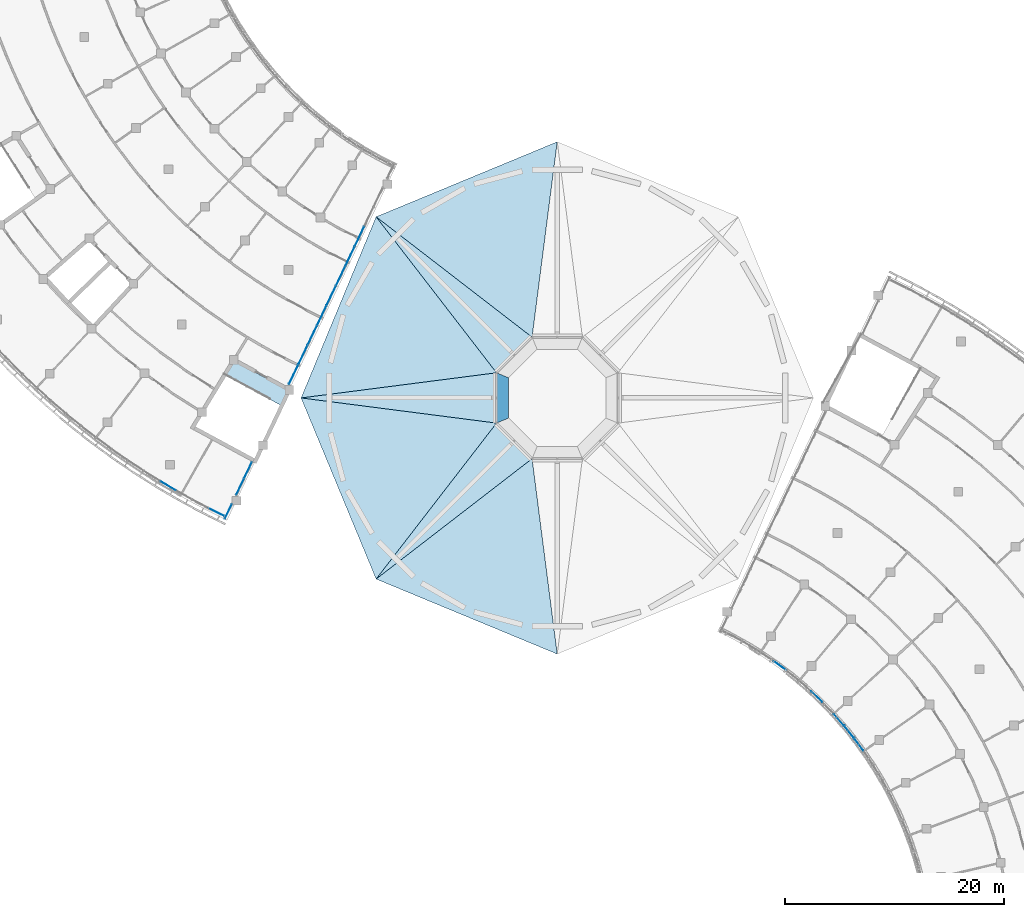
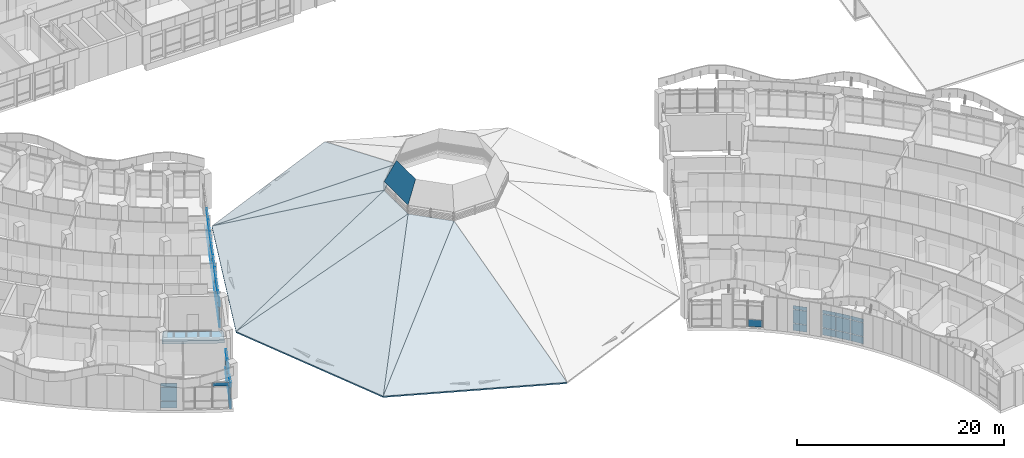
# One storey, part 48 of 137: 51 plates, 8 slabs, 7 elements without a shape of their own.
"""IFC4 building model written with IfcOpenShell, lengths in metres."""

from ifc_helpers import new_model, si_unit, direction, frame, origin, origin_2d, place, context, subcontext, project, spatial, polyline, rectangle, outline, extrude, material, layer, layer_set, type_object, element, aggregate, save


model = new_model("IFC4")

# Units and contexts
model_context = context("Model", 3, precision=1e-05, world=origin(), true_north=direction((0.0, 1.0)))
body_context = subcontext(model_context, "Body", "Model", "MODEL_VIEW")
ifc_project = project(units=[si_unit("LENGTHUNIT", "METRE"), si_unit("AREAUNIT", "SQUARE_METRE"), si_unit("VOLUMEUNIT", "CUBIC_METRE"), si_unit("PLANEANGLEUNIT", "RADIAN"), si_unit("MASSUNIT", "GRAM", prefix="KILO")], contexts=[model_context])

# Site, building, storey
site_placement = place(None, origin())
site = spatial("IfcSite", under=ifc_project, at=site_placement, CompositionType="ELEMENT")
building_placement = place(site_placement, origin())
building = spatial("IfcBuilding", under=site, at=building_placement, Name="Bougainvillea Quay General Hospital", CompositionType="ELEMENT")
storey_placement = place(building_placement, frame((0.0, 0.0, 16.800048828125)))
storey = spatial("IfcBuildingStorey", under=building, at=storey_placement, Name="L03", CompositionType="ELEMENT", Elevation=16.800048828125)

# Curtain wall, plates
ifc_material_1 = material(Name="Aluminium curtain wall system, powder-coated glazed", Category="aluminium")
curtain_wall_type_1 = type_object("IfcCurtainWallType", Name="Unitised curtain wall CW-2100", PredefinedType="NOTDEFINED", material=ifc_material_1)
curtain_wall_1_placement = place(storey_placement, origin())
curtain_wall_1 = element("IfcCurtainWall", 1, at=curtain_wall_1_placement, inside=storey, type_object=curtain_wall_type_1, Name="CW-W01 a01b0", PredefinedType="NOTDEFINED")
ifc_material_2 = material(Name="Insulated aluminium spandrel panel, white", Category="aluminium")
ifc_layer_1 = layer(ifc_material_2, 0.028076171875)
ifc_layer_set_1 = layer_set([ifc_layer_1], Name="Insulated aluminium spandrel panel, white")
plate_type_1 = type_object("IfcPlateType", Name="Insulated spandrel panel white 28", PredefinedType="CURTAIN_PANEL", material=ifc_layer_set_1)
plate_1_placement = place(storey_placement, frame((78.09912109375, 63.573486328125, 2.580078125), z_axis=(0.0, 0.0, 1.0), x_axis=(-0.895166761772, 0.445731386172, 0.0)))
plate_1 = element("IfcPlate", 2, at=plate_1_placement, type_object=plate_type_1, Name="CW-W01 spandrel panel 1.3", PredefinedType="CURTAIN_PANEL", context=body_context, shape_type="SweptSolid", body=[
    extrude(rectangle(XDim=1.593994140625, YDim=0.028076171875, at=origin_2d()), origin(), (0.0, 0.0, 1.0), 0.409912109375),
])
plate_2_placement = place(storey_placement, frame((73.6884765625, 65.97265625, 0.059814453125), z_axis=(0.0, 0.0, 1.0), x_axis=(-0.860561565158, 0.509346436695, 0.0)))
plate_2 = element("IfcPlate", 3, at=plate_2_placement, type_object=plate_type_1, Name="CW-W01 spandrel panel 4.1", PredefinedType="CURTAIN_PANEL", context=body_context, shape_type="SweptSolid", body=[
    extrude(rectangle(XDim=1.593994140625, YDim=0.028076171875, at=origin_2d()), origin(), (0.0, 0.0, 1.0), 0.81005859375),
])
plate_3_placement = place(storey_placement, frame((73.6884765625, 65.97265625, 2.580078125), z_axis=(0.0, 0.0, 1.0), x_axis=(-0.860561565158, 0.509346436695, 0.0)))
plate_3 = element("IfcPlate", 4, at=plate_3_placement, type_object=plate_type_1, Name="CW-W01 spandrel panel 4.3", PredefinedType="CURTAIN_PANEL", context=body_context, shape_type="SweptSolid", body=[
    extrude(rectangle(XDim=1.593994140625, YDim=0.028076171875, at=origin_2d()), origin(), (0.0, 0.0, 1.0), 0.409912109375),
])

curtain_wall_type_2 = type_object("IfcCurtainWallType", Name="Unitised curtain wall CW-1580", PredefinedType="NOTDEFINED", material=ifc_material_1)
curtain_wall_2_placement = place(storey_placement, origin())
curtain_wall_2 = element("IfcCurtainWall", 5, at=curtain_wall_2_placement, inside=storey, type_object=curtain_wall_type_2, Name="CW-AE 00", PredefinedType="NOTDEFINED")
plate_4_placement = place(storey_placement, frame((79.178466796875, 63.6396484375, 0.059814453125), z_axis=(0.0, 0.0, 1.0), x_axis=(0.430525444112, 0.902578440897, 0.0)))
plate_4 = element("IfcPlate", 6, at=plate_4_placement, type_object=plate_type_1, Name="CW-AE spandrel panel 1.1", PredefinedType="CURTAIN_PANEL", context=body_context, shape_type="SweptSolid", body=[
    extrude(rectangle(XDim=1.459716796875, YDim=0.028076171875, at=origin_2d()), origin(), (0.0, 0.0, 1.0), 0.81005859375),
])
plate_5_placement = place(storey_placement, frame((79.178466796875, 63.6396484375, 2.580078125), z_axis=(0.0, 0.0, 1.0), x_axis=(0.430525444112, 0.902578440897, 0.0)))
plate_5 = element("IfcPlate", 7, at=plate_5_placement, type_object=plate_type_1, Name="CW-AE spandrel panel 1.3", PredefinedType="CURTAIN_PANEL", context=body_context, shape_type="SweptSolid", body=[
    extrude(rectangle(XDim=1.459716796875, YDim=0.028076171875, at=origin_2d()), origin(), (0.0, 0.0, 1.0), 0.409912109375),
])

curtain_wall_type_3 = type_object("IfcCurtainWallType", Name="Unitised curtain wall CW-1703", PredefinedType="NOTDEFINED", material=ifc_material_1)
curtain_wall_3_placement = place(storey_placement, origin())
curtain_wall_3 = element("IfcCurtainWall", 8, at=curtain_wall_3_placement, inside=storey, type_object=curtain_wall_type_3, Name="CW-AE 01", PredefinedType="NOTDEFINED")
plate_6_placement = place(storey_placement, frame((80.253173828125, 65.892822265625, 0.059814453125), z_axis=(0.0, 0.0, 1.0), x_axis=(0.430525444112, 0.902578440897, 0.0)))
plate_6 = element("IfcPlate", 9, at=plate_6_placement, type_object=plate_type_1, Name="CW-AE spandrel panel 1.1", PredefinedType="CURTAIN_PANEL", context=body_context, shape_type="SweptSolid", body=[
    extrude(rectangle(XDim=1.61279296875, YDim=0.028076171875, at=origin_2d()), origin(), (0.0, 0.0, 1.0), 0.81005859375),
])
plate_7_placement = place(storey_placement, frame((80.253173828125, 65.892822265625, 2.580078125), z_axis=(0.0, 0.0, 1.0), x_axis=(0.430525444112, 0.902578440897, 0.0)))
plate_7 = element("IfcPlate", 10, at=plate_7_placement, type_object=plate_type_1, Name="CW-AE spandrel panel 1.3", PredefinedType="CURTAIN_PANEL", context=body_context, shape_type="SweptSolid", body=[
    extrude(rectangle(XDim=1.61279296875, YDim=0.028076171875, at=origin_2d()), origin(), (0.0, 0.0, 1.0), 0.409912109375),
])
plate_8_placement = place(storey_placement, frame((80.973388671875, 67.402587890625, 0.059814453125), z_axis=(0.0, 0.0, 1.0), x_axis=(0.430525444112, 0.902578440897, 0.0)))
plate_8 = element("IfcPlate", 11, at=plate_8_placement, type_object=plate_type_1, Name="CW-AE spandrel panel 2.1", PredefinedType="CURTAIN_PANEL", context=body_context, shape_type="SweptSolid", body=[
    extrude(rectangle(XDim=1.61279296875, YDim=0.028076171875, at=origin_2d()), origin(), (0.0, 0.0, 1.0), 0.81005859375),
])
plate_9_placement = place(storey_placement, frame((80.973388671875, 67.402587890625, 2.580078125), z_axis=(0.0, 0.0, 1.0), x_axis=(0.430525444112, 0.902578440897, 0.0)))
plate_9 = element("IfcPlate", 12, at=plate_9_placement, type_object=plate_type_1, Name="CW-AE spandrel panel 2.3", PredefinedType="CURTAIN_PANEL", context=body_context, shape_type="SweptSolid", body=[
    extrude(rectangle(XDim=1.61279296875, YDim=0.028076171875, at=origin_2d()), origin(), (0.0, 0.0, 1.0), 0.409912109375),
])

curtain_wall_type_4 = type_object("IfcCurtainWallType", Name="Unitised curtain wall CW-1997", PredefinedType="NOTDEFINED", material=ifc_material_1)
curtain_wall_4_placement = place(storey_placement, origin())
curtain_wall_4 = element("IfcCurtainWall", 13, at=curtain_wall_4_placement, inside=storey, type_object=curtain_wall_type_4, Name="CW-AE 02", PredefinedType="NOTDEFINED")
plate_10_placement = place(storey_placement, frame((85.13818359375, 76.134033203125, 0.059814453125), z_axis=(0.0, 0.0, 1.0), x_axis=(0.430525444112, 0.902578440897, 0.0)))
plate_10 = element("IfcPlate", 14, at=plate_10_placement, type_object=plate_type_1, Name="CW-AE spandrel panel 1.1", PredefinedType="CURTAIN_PANEL", context=body_context, shape_type="SweptSolid", body=[
    extrude(rectangle(XDim=1.906005859375, YDim=0.028076171875, at=origin_2d()), origin(), (0.0, 0.0, 1.0), 0.81005859375),
])
plate_11_placement = place(storey_placement, frame((85.13818359375, 76.134033203125, 2.580078125), z_axis=(0.0, 0.0, 1.0), x_axis=(0.430525444112, 0.902578440897, 0.0)))
plate_11 = element("IfcPlate", 15, at=plate_11_placement, type_object=plate_type_1, Name="CW-AE spandrel panel 1.3", PredefinedType="CURTAIN_PANEL", context=body_context, shape_type="SweptSolid", body=[
    extrude(rectangle(XDim=1.906005859375, YDim=0.028076171875, at=origin_2d()), origin(), (0.0, 0.0, 1.0), 0.409912109375),
])
plate_12_placement = place(storey_placement, frame((85.9912109375, 77.922119140625, 0.059814453125), z_axis=(0.0, 0.0, 1.0), x_axis=(0.430525444112, 0.902578440897, 0.0)))
plate_12 = element("IfcPlate", 16, at=plate_12_placement, type_object=plate_type_1, Name="CW-AE spandrel panel 2.1", PredefinedType="CURTAIN_PANEL", context=body_context, shape_type="SweptSolid", body=[
    extrude(rectangle(XDim=1.93603515625, YDim=0.028076171875, at=origin_2d()), origin(), (0.0, 0.0, 1.0), 0.81005859375),
])
plate_13_placement = place(storey_placement, frame((85.9912109375, 77.922119140625, 2.580078125), z_axis=(0.0, 0.0, 1.0), x_axis=(0.430525444112, 0.902578440897, 0.0)))
plate_13 = element("IfcPlate", 17, at=plate_13_placement, type_object=plate_type_1, Name="CW-AE spandrel panel 2.3", PredefinedType="CURTAIN_PANEL", context=body_context, shape_type="SweptSolid", body=[
    extrude(rectangle(XDim=1.93603515625, YDim=0.028076171875, at=origin_2d()), origin(), (0.0, 0.0, 1.0), 0.409912109375),
])
plate_14_placement = place(storey_placement, frame((86.8505859375, 79.7236328125, 0.059814453125), z_axis=(0.0, 0.0, 1.0), x_axis=(0.430525444112, 0.902578440897, 0.0)))
plate_14 = element("IfcPlate", 18, at=plate_14_placement, type_object=plate_type_1, Name="CW-AE spandrel panel 3.1", PredefinedType="CURTAIN_PANEL", context=body_context, shape_type="SweptSolid", body=[
    extrude(rectangle(XDim=1.93603515625, YDim=0.028076171875, at=origin_2d()), origin(), (0.0, 0.0, 1.0), 0.81005859375),
])
plate_15_placement = place(storey_placement, frame((86.8505859375, 79.7236328125, 2.580078125), z_axis=(0.0, 0.0, 1.0), x_axis=(0.430525444112, 0.902578440897, 0.0)))
plate_15 = element("IfcPlate", 19, at=plate_15_placement, type_object=plate_type_1, Name="CW-AE spandrel panel 3.3", PredefinedType="CURTAIN_PANEL", context=body_context, shape_type="SweptSolid", body=[
    extrude(rectangle(XDim=1.93603515625, YDim=0.028076171875, at=origin_2d()), origin(), (0.0, 0.0, 1.0), 0.409912109375),
])
plate_16_placement = place(storey_placement, frame((87.709716796875, 81.525390625, 0.059814453125), z_axis=(0.0, 0.0, 1.0), x_axis=(0.430525444112, 0.902578440897, 0.0)))
plate_16 = element("IfcPlate", 20, at=plate_16_placement, type_object=plate_type_1, Name="CW-AE spandrel panel 4.1", PredefinedType="CURTAIN_PANEL", context=body_context, shape_type="SweptSolid", body=[
    extrude(rectangle(XDim=1.93603515625, YDim=0.028076171875, at=origin_2d()), origin(), (0.0, 0.0, 1.0), 0.81005859375),
])
plate_17_placement = place(storey_placement, frame((87.709716796875, 81.525390625, 2.580078125), z_axis=(0.0, 0.0, 1.0), x_axis=(0.430525444112, 0.902578440897, 0.0)))
plate_17 = element("IfcPlate", 21, at=plate_17_placement, type_object=plate_type_1, Name="CW-AE spandrel panel 4.3", PredefinedType="CURTAIN_PANEL", context=body_context, shape_type="SweptSolid", body=[
    extrude(rectangle(XDim=1.93603515625, YDim=0.028076171875, at=origin_2d()), origin(), (0.0, 0.0, 1.0), 0.409912109375),
])
plate_18_placement = place(storey_placement, frame((88.569091796875, 83.326904296875, 0.059814453125), z_axis=(0.0, 0.0, 1.0), x_axis=(0.430525444112, 0.902578440897, 0.0)))
plate_18 = element("IfcPlate", 22, at=plate_18_placement, type_object=plate_type_1, Name="CW-AE spandrel panel 5.1", PredefinedType="CURTAIN_PANEL", context=body_context, shape_type="SweptSolid", body=[
    extrude(rectangle(XDim=1.93603515625, YDim=0.028076171875, at=origin_2d()), origin(), (0.0, 0.0, 1.0), 0.81005859375),
])
plate_19_placement = place(storey_placement, frame((88.569091796875, 83.326904296875, 2.580078125), z_axis=(0.0, 0.0, 1.0), x_axis=(0.430525444112, 0.902578440897, 0.0)))
plate_19 = element("IfcPlate", 23, at=plate_19_placement, type_object=plate_type_1, Name="CW-AE spandrel panel 5.3", PredefinedType="CURTAIN_PANEL", context=body_context, shape_type="SweptSolid", body=[
    extrude(rectangle(XDim=1.93603515625, YDim=0.028076171875, at=origin_2d()), origin(), (0.0, 0.0, 1.0), 0.409912109375),
])
plate_20_placement = place(storey_placement, frame((89.428466796875, 85.12841796875, 0.059814453125), z_axis=(0.0, 0.0, 1.0), x_axis=(0.430525444112, 0.902578440897, 0.0)))
plate_20 = element("IfcPlate", 24, at=plate_20_placement, type_object=plate_type_1, Name="CW-AE spandrel panel 6.1", PredefinedType="CURTAIN_PANEL", context=body_context, shape_type="SweptSolid", body=[
    extrude(rectangle(XDim=1.93603515625, YDim=0.028076171875, at=origin_2d()), origin(), (0.0, 0.0, 1.0), 0.81005859375),
])
plate_21_placement = place(storey_placement, frame((89.428466796875, 85.12841796875, 2.580078125), z_axis=(0.0, 0.0, 1.0), x_axis=(0.430525444112, 0.902578440897, 0.0)))
plate_21 = element("IfcPlate", 25, at=plate_21_placement, type_object=plate_type_1, Name="CW-AE spandrel panel 6.3", PredefinedType="CURTAIN_PANEL", context=body_context, shape_type="SweptSolid", body=[
    extrude(rectangle(XDim=1.93603515625, YDim=0.028076171875, at=origin_2d()), origin(), (0.0, 0.0, 1.0), 0.409912109375),
])
plate_22_placement = place(storey_placement, frame((90.287841796875, 86.929931640625, 0.059814453125), z_axis=(0.0, 0.0, 1.0), x_axis=(0.430525444112, 0.902578440897, 0.0)))
plate_22 = element("IfcPlate", 26, at=plate_22_placement, type_object=plate_type_1, Name="CW-AE spandrel panel 7.1", PredefinedType="CURTAIN_PANEL", context=body_context, shape_type="SweptSolid", body=[
    extrude(rectangle(XDim=1.93603515625, YDim=0.028076171875, at=origin_2d()), origin(), (0.0, 0.0, 1.0), 0.81005859375),
])
plate_23_placement = place(storey_placement, frame((90.287841796875, 86.929931640625, 2.580078125), z_axis=(0.0, 0.0, 1.0), x_axis=(0.430525444112, 0.902578440897, 0.0)))
plate_23 = element("IfcPlate", 27, at=plate_23_placement, type_object=plate_type_1, Name="CW-AE spandrel panel 7.3", PredefinedType="CURTAIN_PANEL", context=body_context, shape_type="SweptSolid", body=[
    extrude(rectangle(XDim=1.93603515625, YDim=0.028076171875, at=origin_2d()), origin(), (0.0, 0.0, 1.0), 0.409912109375),
])
plate_24_placement = place(storey_placement, frame((91.147216796875, 88.731689453125, 0.059814453125), z_axis=(0.0, 0.0, 1.0), x_axis=(0.430525444112, 0.902578440897, 0.0)))
plate_24 = element("IfcPlate", 28, at=plate_24_placement, type_object=plate_type_1, Name="CW-AE spandrel panel 8.1", PredefinedType="CURTAIN_PANEL", context=body_context, shape_type="SweptSolid", body=[
    extrude(rectangle(XDim=1.93603515625, YDim=0.028076171875, at=origin_2d()), origin(), (0.0, 0.0, 1.0), 0.81005859375),
])
plate_25_placement = place(storey_placement, frame((91.147216796875, 88.731689453125, 2.580078125), z_axis=(0.0, 0.0, 1.0), x_axis=(0.430525444112, 0.902578440897, 0.0)))
plate_25 = element("IfcPlate", 29, at=plate_25_placement, type_object=plate_type_1, Name="CW-AE spandrel panel 8.3", PredefinedType="CURTAIN_PANEL", context=body_context, shape_type="SweptSolid", body=[
    extrude(rectangle(XDim=1.93603515625, YDim=0.028076171875, at=origin_2d()), origin(), (0.0, 0.0, 1.0), 0.409912109375),
])

# Curtain wall, plate
curtain_wall_5_placement = place(storey_placement, origin())
curtain_wall_5 = element("IfcCurtainWall", 30, at=curtain_wall_5_placement, inside=storey, type_object=curtain_wall_type_1, Name="CW-E02 a12b1", PredefinedType="NOTDEFINED")
plate_26_placement = place(storey_placement, frame((129.552734375, 49.537109375, 0.059814453125), z_axis=(0.0, 0.0, 1.0), x_axis=(0.804188946942, -0.594373735638, 0.0)))
plate_26 = element("IfcPlate", 31, at=plate_26_placement, type_object=plate_type_1, Name="CW-E02 spandrel panel 2.1", PredefinedType="CURTAIN_PANEL", context=body_context, shape_type="SweptSolid", body=[
    extrude(rectangle(XDim=1.39697265625, YDim=0.028076171875, at=origin_2d()), origin(), (0.0, 0.0, 1.0), 0.81005859375),
])
aggregate(curtain_wall_5, [plate_26])

# Curtain wall, plates
curtain_wall_6_placement = place(storey_placement, origin())
curtain_wall_6 = element("IfcCurtainWall", 32, at=curtain_wall_6_placement, inside=storey, type_object=curtain_wall_type_1, Name="CW-E03 a12b2", PredefinedType="NOTDEFINED")
plate_27_placement = place(storey_placement, frame((132.891845703125, 46.722900390625, 0.059814453125), z_axis=(0.0, 0.0, 1.0), x_axis=(0.722001787667, -0.69189118986, 0.0)))
plate_27 = element("IfcPlate", 33, at=plate_27_placement, type_object=plate_type_1, Name="CW-E03 spandrel panel 2.1", PredefinedType="CURTAIN_PANEL", context=body_context, shape_type="SweptSolid", body=[
    extrude(rectangle(XDim=1.39697265625, YDim=0.028076171875, at=origin_2d()), origin(), (0.0, 0.0, 1.0), 0.81005859375),
])
plate_28_placement = place(storey_placement, frame((132.891845703125, 46.722900390625, 2.580078125), z_axis=(0.0, 0.0, 1.0), x_axis=(0.722001787667, -0.69189118986, 0.0)))
plate_28 = element("IfcPlate", 34, at=plate_28_placement, type_object=plate_type_1, Name="CW-E03 spandrel panel 2.3", PredefinedType="CURTAIN_PANEL", context=body_context, shape_type="SweptSolid", body=[
    extrude(rectangle(XDim=1.39697265625, YDim=0.028076171875, at=origin_2d()), origin(), (0.0, 0.0, 1.0), 0.409912109375),
])

curtain_wall_7_placement = place(storey_placement, origin())
curtain_wall_7 = element("IfcCurtainWall", 35, at=curtain_wall_7_placement, inside=storey, type_object=curtain_wall_type_1, Name="CW-E04 a12b3", PredefinedType="NOTDEFINED")
plate_29_placement = place(storey_placement, frame((134.9169921875, 44.60888671875, 0.059814453125), z_axis=(0.0, 0.0, 1.0), x_axis=(0.660595873455, -0.750741694576, 0.0)))
plate_29 = element("IfcPlate", 36, at=plate_29_placement, type_object=plate_type_1, Name="CW-E04 spandrel panel 1.1", PredefinedType="CURTAIN_PANEL", context=body_context, shape_type="SweptSolid", body=[
    extrude(rectangle(XDim=1.366943359375, YDim=0.028076171875, at=origin_2d()), origin(), (0.0, 0.0, 1.0), 0.81005859375),
])
plate_30_placement = place(storey_placement, frame((134.9169921875, 44.60888671875, 2.580078125), z_axis=(0.0, 0.0, 1.0), x_axis=(0.660595873455, -0.750741694576, 0.0)))
plate_30 = element("IfcPlate", 37, at=plate_30_placement, type_object=plate_type_1, Name="CW-E04 spandrel panel 1.3", PredefinedType="CURTAIN_PANEL", context=body_context, shape_type="SweptSolid", body=[
    extrude(rectangle(XDim=1.366943359375, YDim=0.028076171875, at=origin_2d()), origin(), (0.0, 0.0, 1.0), 0.409912109375),
])
plate_31_placement = place(storey_placement, frame((135.845703125, 43.506591796875, 0.059814453125), z_axis=(0.0, 0.0, 1.0), x_axis=(0.62807171477, -0.778155460757, 0.0)))
plate_31 = element("IfcPlate", 38, at=plate_31_placement, type_object=plate_type_1, Name="CW-E04 spandrel panel 2.1", PredefinedType="CURTAIN_PANEL", context=body_context, shape_type="SweptSolid", body=[
    extrude(rectangle(XDim=1.39697265625, YDim=0.028076171875, at=origin_2d()), origin(), (0.0, 0.0, 1.0), 0.81005859375),
])
plate_32_placement = place(storey_placement, frame((135.845703125, 43.506591796875, 2.580078125), z_axis=(0.0, 0.0, 1.0), x_axis=(0.62807171477, -0.778155460757, 0.0)))
plate_32 = element("IfcPlate", 39, at=plate_32_placement, type_object=plate_type_1, Name="CW-E04 spandrel panel 2.3", PredefinedType="CURTAIN_PANEL", context=body_context, shape_type="SweptSolid", body=[
    extrude(rectangle(XDim=1.39697265625, YDim=0.028076171875, at=origin_2d()), origin(), (0.0, 0.0, 1.0), 0.409912109375),
])
plate_33_placement = place(storey_placement, frame((136.727294921875, 42.365966796875, 0.059814453125), z_axis=(0.0, 0.0, 1.0), x_axis=(0.594411163652, -0.804161282658, 0.0)))
plate_33 = element("IfcPlate", 40, at=plate_33_placement, type_object=plate_type_1, Name="CW-E04 spandrel panel 3.1", PredefinedType="CURTAIN_PANEL", context=body_context, shape_type="SweptSolid", body=[
    extrude(rectangle(XDim=1.366943359375, YDim=0.028076171875, at=origin_2d()), origin(), (0.0, 0.0, 1.0), 0.81005859375),
])
plate_34_placement = place(storey_placement, frame((136.727294921875, 42.365966796875, 2.580078125), z_axis=(0.0, 0.0, 1.0), x_axis=(0.594411163652, -0.804161282658, 0.0)))
plate_34 = element("IfcPlate", 41, at=plate_34_placement, type_object=plate_type_1, Name="CW-E04 spandrel panel 3.3", PredefinedType="CURTAIN_PANEL", context=body_context, shape_type="SweptSolid", body=[
    extrude(rectangle(XDim=1.366943359375, YDim=0.028076171875, at=origin_2d()), origin(), (0.0, 0.0, 1.0), 0.409912109375),
])

# Plate
ifc_material_3 = material(Name="Low-e laminated glass, solar control", Category="glass")
ifc_layer_2 = layer(ifc_material_3, 0.030029296875)
ifc_layer_set_2 = layer_set([ifc_layer_2], Name="Low-e laminated glass, solar control")
plate_type_2 = type_object("IfcPlateType", Name="Lantern glass facet 30", PredefinedType="SHEET", material=ifc_layer_set_2)
plate_35_placement = place(storey_placement, frame((103.656982421875, 76.2958984375, 10.0), z_axis=(-0.907816073866, 0.0, 0.419368544397), x_axis=(0.0, -1.0, 0.0)))
element("IfcPlate", 42, at=plate_35_placement, inside=storey, type_object=plate_type_2, Name="Lantern glazing 4", PredefinedType="SHEET", context=body_context, shape_type="SweptSolid", body=[
    extrude(outline(polyline([(0.0, 0.0), (4.591796875, 0.0), (4.1328125, 2.643599747610895), (0.458984375, 2.643599747610895), (0.0, 0.0)])), origin(), (0.0, -0.907816073866, -0.419368544397), 0.030029296875),
])

ifc_layer_3 = layer(ifc_material_3, 0.028076171875)
ifc_layer_set_3 = layer_set([ifc_layer_3], Name="Low-e laminated glass, solar control")
plate_type_3 = type_object("IfcPlateType", Name="Low-e laminated vision glass 28", PredefinedType="CURTAIN_PANEL", material=ifc_layer_set_3)
plate_36_placement = place(storey_placement, frame((73.6884765625, 65.97265625, 0.9296875), z_axis=(0.0, 0.0, 1.0), x_axis=(-0.860561565158, 0.509346436695, 0.0)))
plate_36 = element("IfcPlate", 43, at=plate_36_placement, type_object=plate_type_3, Name="CW-W01 vision glass panel 4.2", PredefinedType="CURTAIN_PANEL", context=body_context, shape_type="SweptSolid", body=[
    extrude(rectangle(XDim=1.593994140625, YDim=0.028076171875, at=origin_2d()), origin(), (0.0, 0.0, 1.0), 1.590087890625),
])

aggregate(curtain_wall_1, [plate_1, plate_2, plate_36, plate_3])

plate_37_placement = place(storey_placement, frame((79.178466796875, 63.6396484375, 0.9296875), z_axis=(0.0, 0.0, 1.0), x_axis=(0.430525444112, 0.902578440897, 0.0)))
plate_37 = element("IfcPlate", 44, at=plate_37_placement, type_object=plate_type_3, Name="CW-AE vision glass panel 1.2", PredefinedType="CURTAIN_PANEL", context=body_context, shape_type="SweptSolid", body=[
    extrude(rectangle(XDim=1.459716796875, YDim=0.028076171875, at=origin_2d()), origin(), (0.0, 0.0, 1.0), 1.590087890625),
])

aggregate(curtain_wall_2, [plate_4, plate_37, plate_5])

plate_38_placement = place(storey_placement, frame((80.253173828125, 65.892822265625, 0.9296875), z_axis=(0.0, 0.0, 1.0), x_axis=(0.430525444112, 0.902578440897, 0.0)))
plate_38 = element("IfcPlate", 45, at=plate_38_placement, type_object=plate_type_3, Name="CW-AE vision glass panel 1.2", PredefinedType="CURTAIN_PANEL", context=body_context, shape_type="SweptSolid", body=[
    extrude(rectangle(XDim=1.61279296875, YDim=0.028076171875, at=origin_2d()), origin(), (0.0, 0.0, 1.0), 1.590087890625),
])

plate_39_placement = place(storey_placement, frame((80.973388671875, 67.402587890625, 0.9296875), z_axis=(0.0, 0.0, 1.0), x_axis=(0.430525444112, 0.902578440897, 0.0)))
plate_39 = element("IfcPlate", 46, at=plate_39_placement, type_object=plate_type_3, Name="CW-AE vision glass panel 2.2", PredefinedType="CURTAIN_PANEL", context=body_context, shape_type="SweptSolid", body=[
    extrude(rectangle(XDim=1.61279296875, YDim=0.028076171875, at=origin_2d()), origin(), (0.0, 0.0, 1.0), 1.590087890625),
])

aggregate(curtain_wall_3, [plate_6, plate_38, plate_7, plate_8, plate_39, plate_9])

plate_40_placement = place(storey_placement, frame((85.13818359375, 76.134033203125, 0.9296875), z_axis=(0.0, 0.0, 1.0), x_axis=(0.430525444112, 0.902578440897, 0.0)))
plate_40 = element("IfcPlate", 47, at=plate_40_placement, type_object=plate_type_3, Name="CW-AE vision glass panel 1.2", PredefinedType="CURTAIN_PANEL", context=body_context, shape_type="SweptSolid", body=[
    extrude(rectangle(XDim=1.906005859375, YDim=0.028076171875, at=origin_2d()), origin(), (0.0, 0.0, 1.0), 1.590087890625),
])

plate_41_placement = place(storey_placement, frame((85.9912109375, 77.922119140625, 0.9296875), z_axis=(0.0, 0.0, 1.0), x_axis=(0.430525444112, 0.902578440897, 0.0)))
plate_41 = element("IfcPlate", 48, at=plate_41_placement, type_object=plate_type_3, Name="CW-AE vision glass panel 2.2", PredefinedType="CURTAIN_PANEL", context=body_context, shape_type="SweptSolid", body=[
    extrude(rectangle(XDim=1.93603515625, YDim=0.028076171875, at=origin_2d()), origin(), (0.0, 0.0, 1.0), 1.590087890625),
])

plate_42_placement = place(storey_placement, frame((86.8505859375, 79.7236328125, 0.9296875), z_axis=(0.0, 0.0, 1.0), x_axis=(0.430525444112, 0.902578440897, 0.0)))
plate_42 = element("IfcPlate", 49, at=plate_42_placement, type_object=plate_type_3, Name="CW-AE vision glass panel 3.2", PredefinedType="CURTAIN_PANEL", context=body_context, shape_type="SweptSolid", body=[
    extrude(rectangle(XDim=1.93603515625, YDim=0.028076171875, at=origin_2d()), origin(), (0.0, 0.0, 1.0), 1.590087890625),
])

plate_43_placement = place(storey_placement, frame((87.709716796875, 81.525390625, 0.9296875), z_axis=(0.0, 0.0, 1.0), x_axis=(0.430525444112, 0.902578440897, 0.0)))
plate_43 = element("IfcPlate", 50, at=plate_43_placement, type_object=plate_type_3, Name="CW-AE vision glass panel 4.2", PredefinedType="CURTAIN_PANEL", context=body_context, shape_type="SweptSolid", body=[
    extrude(rectangle(XDim=1.93603515625, YDim=0.028076171875, at=origin_2d()), origin(), (0.0, 0.0, 1.0), 1.590087890625),
])

plate_44_placement = place(storey_placement, frame((88.569091796875, 83.326904296875, 0.9296875), z_axis=(0.0, 0.0, 1.0), x_axis=(0.430525444112, 0.902578440897, 0.0)))
plate_44 = element("IfcPlate", 51, at=plate_44_placement, type_object=plate_type_3, Name="CW-AE vision glass panel 5.2", PredefinedType="CURTAIN_PANEL", context=body_context, shape_type="SweptSolid", body=[
    extrude(rectangle(XDim=1.93603515625, YDim=0.028076171875, at=origin_2d()), origin(), (0.0, 0.0, 1.0), 1.590087890625),
])

plate_45_placement = place(storey_placement, frame((89.428466796875, 85.12841796875, 0.9296875), z_axis=(0.0, 0.0, 1.0), x_axis=(0.430525444112, 0.902578440897, 0.0)))
plate_45 = element("IfcPlate", 52, at=plate_45_placement, type_object=plate_type_3, Name="CW-AE vision glass panel 6.2", PredefinedType="CURTAIN_PANEL", context=body_context, shape_type="SweptSolid", body=[
    extrude(rectangle(XDim=1.93603515625, YDim=0.028076171875, at=origin_2d()), origin(), (0.0, 0.0, 1.0), 1.590087890625),
])

plate_46_placement = place(storey_placement, frame((90.287841796875, 86.929931640625, 0.9296875), z_axis=(0.0, 0.0, 1.0), x_axis=(0.430525444112, 0.902578440897, 0.0)))
plate_46 = element("IfcPlate", 53, at=plate_46_placement, type_object=plate_type_3, Name="CW-AE vision glass panel 7.2", PredefinedType="CURTAIN_PANEL", context=body_context, shape_type="SweptSolid", body=[
    extrude(rectangle(XDim=1.93603515625, YDim=0.028076171875, at=origin_2d()), origin(), (0.0, 0.0, 1.0), 1.590087890625),
])

plate_47_placement = place(storey_placement, frame((91.147216796875, 88.731689453125, 0.9296875), z_axis=(0.0, 0.0, 1.0), x_axis=(0.430525444112, 0.902578440897, 0.0)))
plate_47 = element("IfcPlate", 54, at=plate_47_placement, type_object=plate_type_3, Name="CW-AE vision glass panel 8.2", PredefinedType="CURTAIN_PANEL", context=body_context, shape_type="SweptSolid", body=[
    extrude(rectangle(XDim=1.93603515625, YDim=0.028076171875, at=origin_2d()), origin(), (0.0, 0.0, 1.0), 1.590087890625),
])

aggregate(curtain_wall_4, [plate_10, plate_40, plate_11, plate_12, plate_41, plate_13, plate_14, plate_42, plate_15, plate_16, plate_43, plate_17, plate_18, plate_44, plate_19, plate_20, plate_45, plate_21, plate_22, plate_46, plate_23, plate_24, plate_47, plate_25])

plate_48_placement = place(storey_placement, frame((132.891845703125, 46.722900390625, 0.9296875), z_axis=(0.0, 0.0, 1.0), x_axis=(0.722001787667, -0.69189118986, 0.0)))
plate_48 = element("IfcPlate", 55, at=plate_48_placement, type_object=plate_type_3, Name="CW-E03 vision glass panel 2.2", PredefinedType="CURTAIN_PANEL", context=body_context, shape_type="SweptSolid", body=[
    extrude(rectangle(XDim=1.39697265625, YDim=0.028076171875, at=origin_2d()), origin(), (0.0, 0.0, 1.0), 1.590087890625),
])

aggregate(curtain_wall_6, [plate_27, plate_48, plate_28])

plate_49_placement = place(storey_placement, frame((134.9169921875, 44.60888671875, 0.9296875), z_axis=(0.0, 0.0, 1.0), x_axis=(0.660595873455, -0.750741694576, 0.0)))
plate_49 = element("IfcPlate", 56, at=plate_49_placement, type_object=plate_type_3, Name="CW-E04 vision glass panel 1.2", PredefinedType="CURTAIN_PANEL", context=body_context, shape_type="SweptSolid", body=[
    extrude(rectangle(XDim=1.366943359375, YDim=0.028076171875, at=origin_2d()), origin(), (0.0, 0.0, 1.0), 1.590087890625),
])

plate_50_placement = place(storey_placement, frame((135.845703125, 43.506591796875, 0.9296875), z_axis=(0.0, 0.0, 1.0), x_axis=(0.62807171477, -0.778155460757, 0.0)))
plate_50 = element("IfcPlate", 57, at=plate_50_placement, type_object=plate_type_3, Name="CW-E04 vision glass panel 2.2", PredefinedType="CURTAIN_PANEL", context=body_context, shape_type="SweptSolid", body=[
    extrude(rectangle(XDim=1.39697265625, YDim=0.028076171875, at=origin_2d()), origin(), (0.0, 0.0, 1.0), 1.590087890625),
])

plate_51_placement = place(storey_placement, frame((136.727294921875, 42.365966796875, 0.9296875), z_axis=(0.0, 0.0, 1.0), x_axis=(0.594411163652, -0.804161282658, 0.0)))
plate_51 = element("IfcPlate", 58, at=plate_51_placement, type_object=plate_type_3, Name="CW-E04 vision glass panel 3.2", PredefinedType="CURTAIN_PANEL", context=body_context, shape_type="SweptSolid", body=[
    extrude(rectangle(XDim=1.366943359375, YDim=0.028076171875, at=origin_2d()), origin(), (0.0, 0.0, 1.0), 1.590087890625),
])

aggregate(curtain_wall_7, [plate_29, plate_49, plate_30, plate_31, plate_50, plate_32, plate_33, plate_51, plate_34])

# Slabs
ifc_material_4 = material(Name="Concrete C35", Category="concrete")
ifc_layer_4 = layer(ifc_material_4, 0.35009765625)
ifc_layer_set_4 = layer_set([ifc_layer_4], Name="Concrete C35")
slab_type_1 = type_object("IfcSlabType", Name="RC FLAT SLAB 350 C35", PredefinedType="FLOOR", material=ifc_layer_set_4)
slab_1_placement = place(storey_placement, frame((0.0, 0.0, -0.35009765625)))
element("IfcSlab", 59, at=slab_1_placement, inside=storey, type_object=slab_type_1, Name="Stair landing floor ST-W1 L03", PredefinedType="FLOOR", context=body_context, shape_type="SweptSolid", body=[
    extrude(outline(polyline([(82.178955078125, 76.0390625), (83.455078125, 75.3701171875), (84.7470703125, 74.73291015625), (84.63623046875, 74.500732421875), (84.680419921875, 74.47705078125), (84.0986328125, 73.2578125), (78.80126953125, 76.123046875), (79.503173828125, 77.277099609375), (79.54736328125, 77.253173828125), (79.680908203125, 77.472900390625), (80.9208984375, 76.739990234375), (82.178955078125, 76.0390625)])), origin(), (0.0, 0.0, 1.0), 0.35009765625),
])
ifc_material_5 = material(Name="Concrete C40", Category="concrete")
ifc_layer_5 = layer(ifc_material_5, 0.14990234375)
ifc_layer_set_5 = layer_set([ifc_layer_5], Name="Concrete C40")
slab_type_2 = type_object("IfcSlabType", Name="RC FOLDED ROOF PLATE 150 C40", PredefinedType="ROOF", material=ifc_layer_set_5)
slab_2_placement = place(storey_placement, frame((106.904052734375, 79.54296875, 8.9599609375), z_axis=(-0.191234000574, 0.461671016752, 0.866192489759), x_axis=(0.114164949243, 0.886951424039, -0.447530485844)))
element("IfcSlab", 60, at=slab_2_placement, inside=storey, type_object=slab_type_2, Name="Roof plate RP2-05", PredefinedType="ROOF", context=body_context, shape_type="SweptSolid", body=[
    extrude(outline(polyline([(0.0, 0.0), (20.110361829373563, 0.0), (12.149233892160026, 16.0256239979735), (0.0, 0.0)])), origin(), (0.447530485844, 0.222321917328, -0.866192489759), 0.14990234375),
])
slab_3_placement = place(storey_placement, frame((92.66796875, 90.531982421875, -0.0400390625), z_axis=(-0.318535569119, 0.318535569119, 0.892787870892), x_axis=(0.707899830159, -0.546436851628, 0.447531672223)))
element("IfcSlab", 61, at=slab_3_placement, inside=storey, type_object=slab_type_2, Name="Roof plate RP2-06", PredefinedType="ROOF", context=body_context, shape_type="SweptSolid", body=[
    extrude(outline(polyline([(0.0, 0.0), (20.110308518042036, 1.6653345369377348e-15), (19.58602687388627, -4.562023672257633), (0.0, 0.0)])), origin(), (-0.447531672223, 0.051431701758, -0.892787870892), 0.14990234375),
])
slab_4_placement = place(storey_placement, frame((103.656982421875, 76.2958984375, 8.9599609375), z_axis=(-0.461671016752, 0.191234000574, 0.866192489759), x_axis=(-0.546436851628, 0.707899830159, -0.447531672223)))
element("IfcSlab", 62, at=slab_4_placement, inside=storey, type_object=slab_type_2, Name="Roof plate RP2-07", PredefinedType="ROOF", context=body_context, shape_type="SweptSolid", body=[
    extrude(outline(polyline([(0.0, 0.0), (20.110308518042036, -8.881784197001252e-16), (12.149266099116737, 16.025666481029052), (0.0, 0.0)])), origin(), (0.447531672223, 0.22231952915, -0.866192489759), 0.14990234375),
])
slab_5_placement = place(storey_placement, frame((85.820068359375, 74.0, -0.0400390625), z_axis=(-0.450475782911, 0.0, 0.892788647447), x_axis=(0.886951424039, 0.114164949243, 0.447530485844)))
element("IfcSlab", 63, at=slab_5_placement, inside=storey, type_object=slab_type_2, Name="Roof plate RP2-08", PredefinedType="ROOF", context=body_context, shape_type="SweptSolid", body=[
    extrude(outline(polyline([(0.0, 0.0), (20.110361829373563, 2.220446049250313e-16), (19.58613957220703, -4.561774826353334), (0.0, 0.0)])), origin(), (-0.447530485844, 0.051428544891, -0.892788647447), 0.14990234375),
])
slab_6_placement = place(storey_placement, frame((103.656982421875, 71.7041015625, 8.9599609375), z_axis=(-0.461671016752, -0.191234000574, 0.866192489759), x_axis=(-0.886951424039, 0.114164949243, -0.447530485844)))
element("IfcSlab", 64, at=slab_6_placement, inside=storey, type_object=slab_type_2, Name="Roof plate RP2-09", PredefinedType="ROOF", context=body_context, shape_type="SweptSolid", body=[
    extrude(outline(polyline([(0.0, 0.0), (20.110361829373563, 0.0), (12.149233892160026, 16.0256239979735), (0.0, 0.0)])), origin(), (0.447530485844, 0.222321917328, -0.866192489759), 0.14990234375),
])
slab_7_placement = place(storey_placement, frame((92.66796875, 57.468017578125, -0.0400390625), z_axis=(-0.318535569119, -0.318535569119, 0.892787870892), x_axis=(0.546436851628, 0.707899830159, 0.447531672223)))
element("IfcSlab", 65, at=slab_7_placement, inside=storey, type_object=slab_type_2, Name="Roof plate RP2-10", PredefinedType="ROOF", context=body_context, shape_type="SweptSolid", body=[
    extrude(outline(polyline([(0.0, 0.0), (20.110308518042036, 1.6653345369377348e-15), (19.58602687388627, -4.562023672257633), (0.0, 0.0)])), origin(), (-0.447531672223, 0.051431701758, -0.892787870892), 0.14990234375),
])
slab_8_placement = place(storey_placement, frame((106.904052734375, 68.45703125, 8.9599609375), z_axis=(-0.191234000574, -0.461671016752, 0.866192489759), x_axis=(-0.707899830159, -0.546436851628, -0.447531672223)))
element("IfcSlab", 66, at=slab_8_placement, inside=storey, type_object=slab_type_2, Name="Roof plate RP2-11", PredefinedType="ROOF", context=body_context, shape_type="SweptSolid", body=[
    extrude(outline(polyline([(0.0, 0.0), (20.110308518042036, -8.881784197001252e-16), (12.149266099116737, 16.025666481029052), (0.0, 0.0)])), origin(), (0.447531672223, 0.22231952915, -0.866192489759), 0.14990234375),
])

save(model, "model.ifc")
